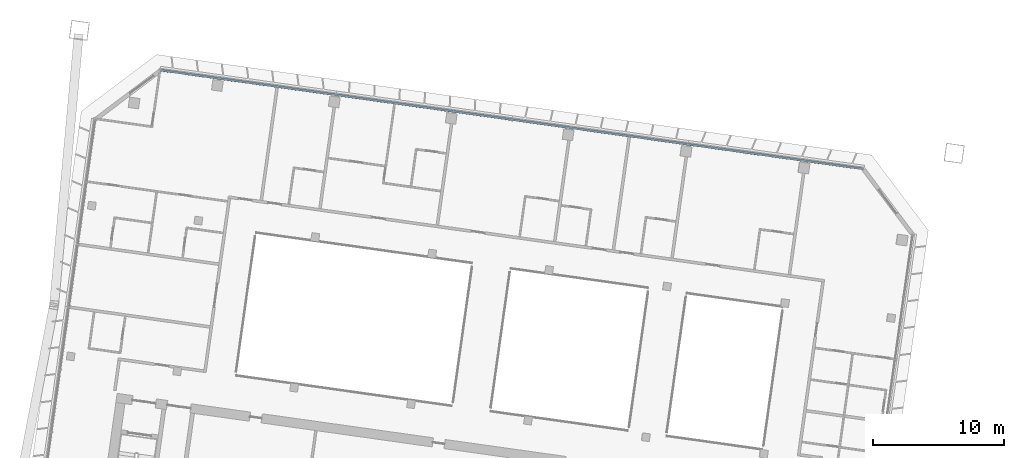
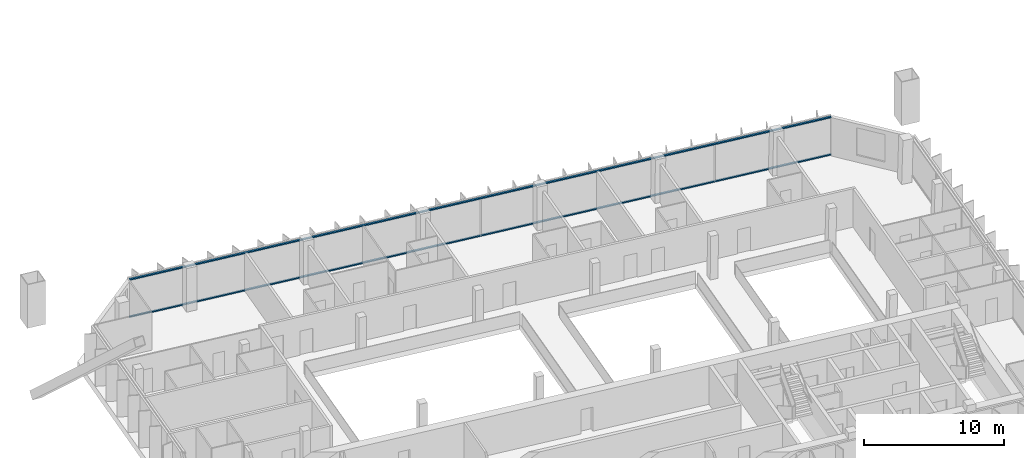
# One storey, part 4 of 28: 2 members, 1 element without a shape of its own.
"""IFC4 building model written with IfcOpenShell, lengths in metres."""

from ifc_helpers import new_model, si_unit, direction, frame, origin, origin_2d, place, context, subcontext, project, spatial, rectangle, extrude, material, material_profile, profile_set, type_object, element, aggregate, save


model = new_model("IFC4")

# Units and contexts
model_context = context("Model", 3, precision=1e-05, world=origin(), true_north=direction((0.0, 1.0)))
body_context = subcontext(model_context, "Body", "Model", "MODEL_VIEW")
ifc_project = project(units=[si_unit("LENGTHUNIT", "METRE"), si_unit("AREAUNIT", "SQUARE_METRE"), si_unit("VOLUMEUNIT", "CUBIC_METRE"), si_unit("PLANEANGLEUNIT", "RADIAN"), si_unit("MASSUNIT", "GRAM", prefix="KILO")], contexts=[model_context])

# Site, building, storey
site_placement = place(None, origin())
site = spatial("IfcSite", under=ifc_project, at=site_placement, CompositionType="ELEMENT")
building_placement = place(site_placement, origin())
building = spatial("IfcBuilding", under=site, at=building_placement, Name="Mirante Cascada Hotel Towers", CompositionType="ELEMENT")
storey_placement = place(building_placement, frame((0.0, 0.0, 165.0)))
storey = spatial("IfcBuildingStorey", under=building, at=storey_placement, Name="L38", CompositionType="ELEMENT", Elevation=165.0)

# Curtain wall, members
ifc_material_1 = material(Name="Aluminium mullion and transom frame with clear laminated glass", Category="aluminium")
curtain_wall_type = type_object("IfcCurtainWallType", Name="Ribbon curtain wall ECW1", PredefinedType="NOTDEFINED", material=ifc_material_1)
curtain_wall_placement = place(storey_placement, origin())
curtain_wall = element("IfcCurtainWall", 1, at=curtain_wall_placement, inside=storey, type_object=curtain_wall_type, Name="Front ribbon wall T1 L38", PredefinedType="NOTDEFINED")
ifc_material_2 = material(Name="Anodised aluminium extrusion", Category="aluminium")
ifc_material_profile = material_profile(ifc_material_2, rectangle(XDim=0.16, YDim=0.1, at=origin_2d()), Name="ECW1 TRANSOM 100x160")
ifc_profile_set = profile_set([ifc_material_profile], Name="Anodised aluminium extrusion")
member_type = type_object("IfcMemberType", Name="ECW1 transom 100x160", PredefinedType="USERDEFINED", material=ifc_profile_set)
member_1_placement = place(storey_placement, frame((-85.2457, 24.7995, 0.05), z_axis=(0.9902682, -0.1391718, 0.0), x_axis=(0.1391718, 0.9902682, 0.0)))
member_1 = element("IfcMember", 2, at=member_1_placement, type_object=member_type, Name="ECW1 sill transom", ObjectType="TRANSOM", PredefinedType="USERDEFINED", context=body_context, shape_type="SweptSolid", body=[
    extrude(rectangle(XDim=0.16, YDim=0.1, at=origin_2d()), origin(), (0.0, 0.0, 1.0), 54.0785),
])
member_2_placement = place(storey_placement, frame((-85.2457, 24.7995, 3.3), z_axis=(0.9902682, -0.1391718, 0.0), x_axis=(0.1391718, 0.9902682, 0.0)))
member_2 = element("IfcMember", 3, at=member_2_placement, type_object=member_type, Name="ECW1 head transom", ObjectType="TRANSOM", PredefinedType="USERDEFINED", context=body_context, shape_type="SweptSolid", body=[
    extrude(rectangle(XDim=0.16, YDim=0.1, at=origin_2d()), origin(), (0.0, 0.0, 1.0), 54.0785),
])
aggregate(curtain_wall, [member_1, member_2])

save(model, "model.ifc")
